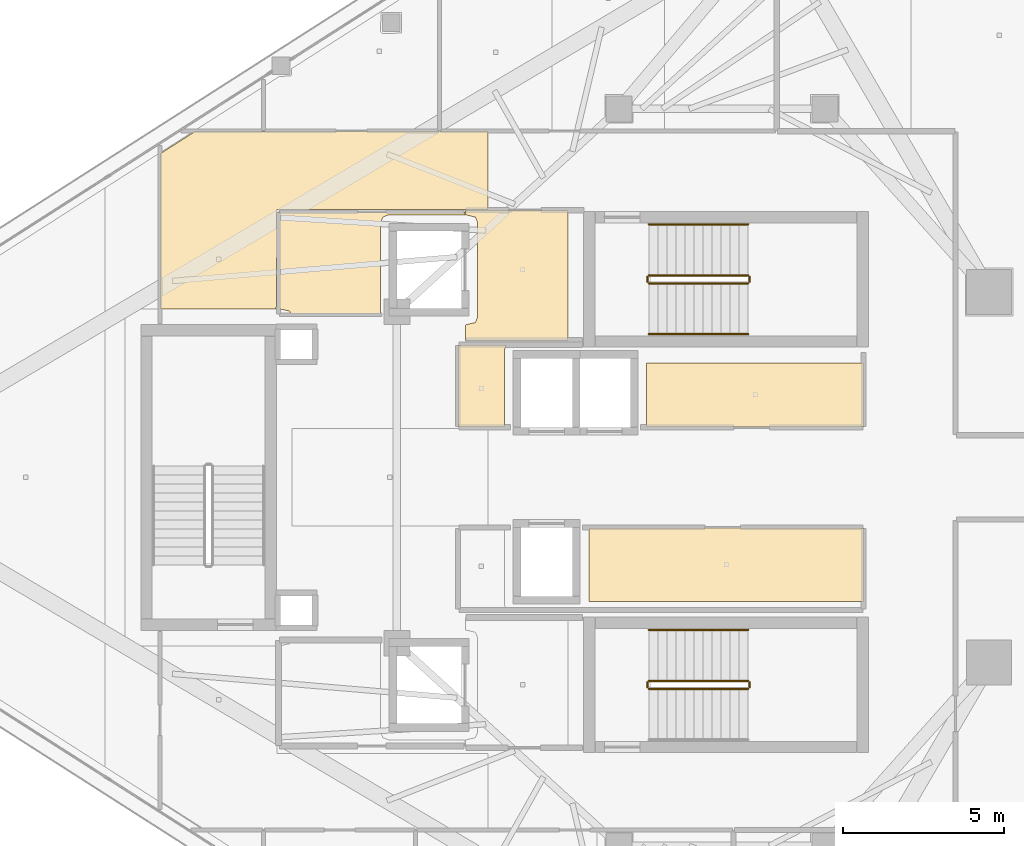
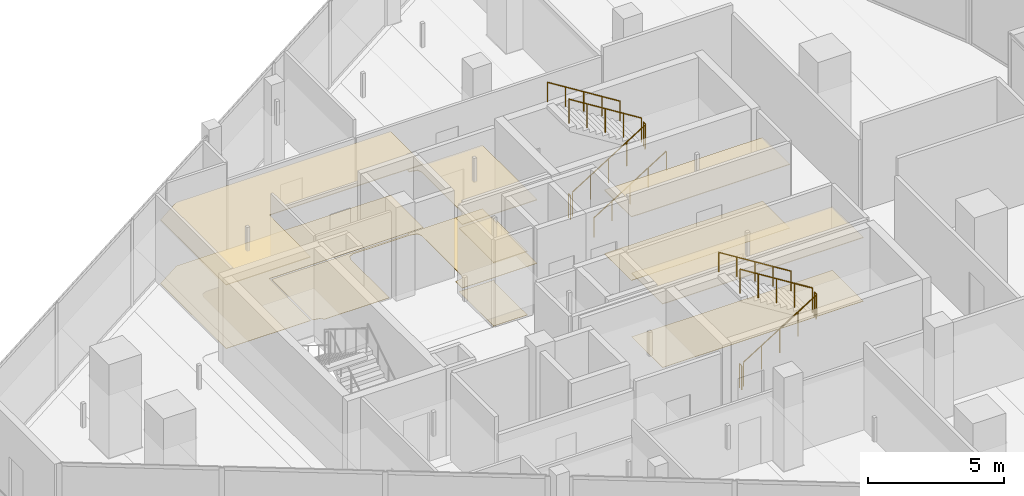
# One storey, part 24 of 25: 11 coverings, 11 railings.
"""IFC4 building model written with IfcOpenShell, lengths in metres."""

from ifc_helpers import new_model, si_unit, direction, frame, origin, origin_2d, place, context, subcontext, project, spatial, polyline, circle, outline, extrude, material, layer, layer_set, type_object, element, save


model = new_model("IFC4")

# Units and contexts
model_context = context("Model", 3, precision=1e-05, world=origin(), true_north=direction((0.0, 1.0)))
body_context = subcontext(model_context, "Body", "Model", "MODEL_VIEW")
ifc_project = project(units=[si_unit("LENGTHUNIT", "METRE"), si_unit("AREAUNIT", "SQUARE_METRE"), si_unit("VOLUMEUNIT", "CUBIC_METRE"), si_unit("PLANEANGLEUNIT", "RADIAN"), si_unit("MASSUNIT", "GRAM", prefix="KILO")], contexts=[model_context])

# Site, building, storey
site_placement = place(None, origin())
site = spatial("IfcSite", under=ifc_project, at=site_placement, CompositionType="ELEMENT")
building_placement = place(site_placement, origin())
building = spatial("IfcBuilding", under=site, at=building_placement, Name="Qorvath Tower", CompositionType="ELEMENT")
storey_placement = place(building_placement, frame((0.0, 0.0, 297.60009765625)))
storey = spatial("IfcBuildingStorey", under=building, at=storey_placement, Name="L69", CompositionType="ELEMENT", Elevation=297.60009765625)

# Coverings
ifc_material_1 = material(Name="Acoustic mineral fibre ceiling tile", Category="gypsum")
ifc_layer_1 = layer(ifc_material_1, 0.030029296875)
ifc_layer_set_1 = layer_set([ifc_layer_1], Name="COV-CEIL")
covering_type_1 = type_object("IfcCoveringType", Name="COV-CEIL", PredefinedType="CEILING", material=ifc_layer_set_1)
covering_1_placement = place(storey_placement, frame((0.0, 0.0, 2.849853515625)))
element("IfcCovering", 1, at=covering_1_placement, inside=storey, type_object=covering_type_1, Name="L69 Suspended Acoustic Ceiling 001", PredefinedType="CEILING", context=body_context, shape_type="SweptSolid", body=[
    extrude(outline(polyline([(-25.18994140625, 4.2548828125), (-25.18994140625, 8.294921875), (-28.375, 8.294921875), (-28.375, 8.159912109375), (-28.063232421875, 8.086669921875), (-27.989990234375, 7.909912109375), (-27.989990234375, 4.989990234375), (-28.063232421875, 4.813232421875), (-28.375, 4.739990234375), (-28.375, 4.2548828125), (-25.18994140625, 4.2548828125)])), origin(), (0.0, 0.0, 1.0), 0.030029296875),
])
covering_2_placement = place(storey_placement, frame((0.0, 0.0, 2.849853515625)))
element("IfcCovering", 2, at=covering_2_placement, inside=storey, type_object=covering_type_1, Name="L69 Suspended Acoustic Ceiling 003", PredefinedType="CEILING", context=body_context, shape_type="SweptSolid", body=[
    extrude(outline(polyline([(-16.0048828125, 3.56005859375), (-22.739990234375, 3.56005859375), (-22.739990234375, 1.56494140625), (-16.0048828125, 1.56494140625), (-16.0048828125, 3.56005859375)])), origin(), (0.0, 0.0, 1.0), 0.030029296875),
])
covering_3_placement = place(storey_placement, frame((0.0, 0.0, 2.849853515625)))
element("IfcCovering", 3, at=covering_3_placement, inside=storey, type_object=covering_type_1, Name="L69 Suspended Acoustic Ceiling 004", PredefinedType="CEILING", context=body_context, shape_type="SweptSolid", body=[
    extrude(outline(polyline([(-27.159912109375, 1.56494140625), (-27.159912109375, 3.9599609375), (-27.095703125, 4.114990234375), (-28.594970703125, 4.114990234375), (-28.594970703125, 1.56494140625), (-27.159912109375, 1.56494140625)])), origin(), (0.0, 0.0, 1.0), 0.030029296875),
])
covering_4_placement = place(storey_placement, frame((0.0, 0.0, 2.849853515625)))
element("IfcCovering", 4, at=covering_4_placement, inside=storey, type_object=covering_type_1, Name="L69 Suspended Acoustic Ceiling 005", PredefinedType="CEILING", context=body_context, shape_type="SweptSolid", body=[
    extrude(outline(polyline([(-24.5400390625, -1.56494140625), (-24.5400390625, -3.85009765625), (-16.0048828125, -3.85009765625), (-16.0048828125, -1.56494140625), (-24.5400390625, -1.56494140625)])), origin(), (0.0, 0.0, 1.0), 0.030029296875),
])
covering_5_placement = place(storey_placement, frame((0.0, 0.0, 2.849853515625)))
element("IfcCovering", 5, at=covering_5_placement, inside=storey, type_object=covering_type_1, Name="L69 Suspended Acoustic Ceiling 010", PredefinedType="CEILING", context=body_context, shape_type="SweptSolid", body=[
    extrude(outline(polyline([(-27.67626953125, 8.324951171875), (-27.67626953125, 10.7451171875), (-36.77880859375, 10.7451171875), (-37.844970703125, 10.0634765625), (-37.844970703125, 5.239990234375), (-34.2509765625, 5.239990234375), (-34.219970703125, 8.324951171875), (-27.67626953125, 8.324951171875)])), origin(), (0.0, 0.0, 1.0), 0.030029296875),
])
ifc_material_2 = material(Name="Low-VOC modular carpet tile", Category="textile")
ifc_layer_2 = layer(ifc_material_2, 0.014892578125)
ifc_layer_set_2 = layer_set([ifc_layer_2], Name="COV-FLOOR-CPT")
covering_type_2 = type_object("IfcCoveringType", Name="COV-FLOOR-CPT", PredefinedType="FLOORING", material=ifc_layer_set_2)
covering_6_placement = place(storey_placement, origin())
element("IfcCovering", 6, at=covering_6_placement, inside=storey, type_object=covering_type_2, Name="L69 Floor Finish 003", PredefinedType="FLOORING", context=body_context, shape_type="SweptSolid", body=[
    extrude(outline(polyline([(-16.0048828125, 3.56005859375), (-22.739990234375, 3.56005859375), (-22.739990234375, 1.56494140625), (-16.0048828125, 1.56494140625), (-16.0048828125, 3.56005859375)])), origin(), (0.0, 0.0, 1.0), 0.014892578125),
])
covering_7_placement = place(storey_placement, origin())
element("IfcCovering", 7, at=covering_7_placement, inside=storey, type_object=covering_type_2, Name="L69 Floor Finish 004", PredefinedType="FLOORING", context=body_context, shape_type="SweptSolid", body=[
    extrude(outline(polyline([(-27.159912109375, 1.56494140625), (-27.159912109375, 3.9599609375), (-27.095703125, 4.114990234375), (-28.594970703125, 4.114990234375), (-28.594970703125, 1.56494140625), (-27.159912109375, 1.56494140625)])), origin(), (0.0, 0.0, 1.0), 0.014892578125),
])
covering_8_placement = place(storey_placement, origin())
element("IfcCovering", 8, at=covering_8_placement, inside=storey, type_object=covering_type_2, Name="L69 Floor Finish 005", PredefinedType="FLOORING", context=body_context, shape_type="SweptSolid", body=[
    extrude(outline(polyline([(-24.5400390625, -1.56494140625), (-24.5400390625, -3.85009765625), (-16.0048828125, -3.85009765625), (-16.0048828125, -1.56494140625), (-24.5400390625, -1.56494140625)])), origin(), (0.0, 0.0, 1.0), 0.014892578125),
])
ifc_material_3 = material(Name="Polished epoxy terrazzo flooring", Category="concrete")
ifc_layer_3 = layer(ifc_material_3, 0.02001953125)
ifc_layer_set_3 = layer_set([ifc_layer_3], Name="COV-FLOOR-TRZ")
covering_type_3 = type_object("IfcCoveringType", Name="COV-FLOOR-TRZ", PredefinedType="FLOORING", material=ifc_layer_set_3)
covering_9_placement = place(storey_placement, origin())
element("IfcCovering", 9, at=covering_9_placement, inside=storey, type_object=covering_type_3, Name="L69 Floor Finish 001", PredefinedType="FLOORING", context=body_context, shape_type="SweptSolid", body=[
    extrude(outline(polyline([(-25.18994140625, 4.2548828125), (-25.18994140625, 8.294921875), (-28.375, 8.294921875), (-28.375, 8.159912109375), (-28.063232421875, 8.086669921875), (-27.989990234375, 7.909912109375), (-27.989990234375, 4.989990234375), (-28.063232421875, 4.813232421875), (-28.375, 4.739990234375), (-28.375, 4.2548828125), (-25.18994140625, 4.2548828125)])), origin(), (0.0, 0.0, 1.0), 0.014892578125),
])
covering_10_placement = place(storey_placement, origin())
element("IfcCovering", 10, at=covering_10_placement, inside=storey, type_object=covering_type_3, Name="L69 Floor Finish 007", PredefinedType="FLOORING", context=body_context, shape_type="SweptSolid", body=[
    extrude(outline(polyline([(-31.010009765625, 5.054931640625), (-31.010009765625, 7.909912109375), (-30.936767578125, 8.086669921875), (-30.760009765625, 8.159912109375), (-28.39306640625, 8.159912109375), (-28.39306640625, 8.2451171875), (-34.175048828125, 8.2451171875), (-34.175048828125, 5.239990234375), (-33.833251953125, 5.166748046875), (-33.786865234375, 5.054931640625), (-31.010009765625, 5.054931640625)])), origin(), (0.0, 0.0, 1.0), 0.014892578125),
])
covering_11_placement = place(storey_placement, origin())
element("IfcCovering", 11, at=covering_11_placement, inside=storey, type_object=covering_type_3, Name="L69 Floor Finish 010", PredefinedType="FLOORING", context=body_context, shape_type="SweptSolid", body=[
    extrude(outline(polyline([(-27.67626953125, 8.324951171875), (-27.67626953125, 10.7451171875), (-36.77880859375, 10.7451171875), (-37.844970703125, 10.0634765625), (-37.844970703125, 5.239990234375), (-34.2509765625, 5.239990234375), (-34.219970703125, 8.324951171875), (-27.67626953125, 8.324951171875)])), origin(), (0.0, 0.0, 1.0), 0.014892578125),
])

# Railings
ifc_material_4 = material(Name="Painted galvanised steel", Category="steel")
railing_type_1 = type_object("IfcRailingType", Name="RL-STR-GRD", PredefinedType="GUARDRAIL", material=ifc_material_4)
railing_1_placement = place(storey_placement, frame((-22.669921875, 6.030029296875, 0.1748046875)))
element("IfcRailing", 12, at=railing_1_placement, inside=storey, type_object=railing_type_1, Name="L69 TS1 stair guard 1", PredefinedType="GUARDRAIL", context=body_context, shape_type="SweptSolid", body=[
    extrude(circle(Radius=0.02392578125, at=origin_2d()), frame((0.0, 0.0, 1.076171875), z_axis=(0.847979421464, 0.0, 0.530029150871), x_axis=(0.0, 1.0, 0.0)), (0.0, 0.0, 1.0), 3.632080078125),
    extrude(circle(Radius=0.02099609375, at=origin_2d()), origin(), (0.0, 0.0, 1.0), 1.052001953125),
    extrude(circle(Radius=0.02099609375, at=origin_2d()), frame((0.77001953125, 0.0, 0.481201171875)), (0.0, 0.0, 1.0), 1.052001953125),
    extrude(circle(Radius=0.02099609375, at=origin_2d()), frame((1.5400390625, 0.0, 0.96240234375)), (0.0, 0.0, 1.0), 1.052001953125),
    extrude(circle(Radius=0.02099609375, at=origin_2d()), frame((2.309814453125, 0.0, 1.44384765625)), (0.0, 0.0, 1.0), 1.052001953125),
    extrude(circle(Radius=0.02099609375, at=origin_2d()), frame((3.079833984375, 0.0, 1.925048828125)), (0.0, 0.0, 1.0), 1.052001953125),
])
railing_2_placement = place(storey_placement, frame((-19.5400390625, 6.080078125, 2.099853515625)))
element("IfcRailing", 13, at=railing_2_placement, inside=storey, type_object=railing_type_1, Name="L69 TS1 stair guard 2", PredefinedType="GUARDRAIL", context=body_context, shape_type="SweptSolid", body=[
    extrude(circle(Radius=0.02392578125, at=origin_2d()), frame((0.0, 0.0, 1.076171875), z_axis=(0.0, 1.0, 0.0), x_axis=(-1.0, 0.0, 0.0)), (0.0, 0.0, 1.0), 0.14990234375),
    extrude(circle(Radius=0.02099609375, at=origin_2d()), origin(), (0.0, 0.0, 1.0), 1.052001953125),
    extrude(circle(Radius=0.02099609375, at=origin_2d()), frame((0.0, 0.14990234375, 0.0)), (0.0, 0.0, 1.0), 1.052001953125),
])
railing_3_placement = place(storey_placement, frame((-19.590087890625, 6.280029296875, 2.27490234375)))
element("IfcRailing", 14, at=railing_3_placement, inside=storey, type_object=railing_type_1, Name="L69 TS1 stair guard 3", PredefinedType="GUARDRAIL", context=body_context, shape_type="SweptSolid", body=[
    extrude(circle(Radius=0.02392578125, at=origin_2d()), frame((0.0, 0.0, 1.076171875), z_axis=(-0.847979421464, 0.0, 0.530029150871), x_axis=(0.0, -1.0, 0.0)), (0.0, 0.0, 1.0), 3.632080078125),
    extrude(circle(Radius=0.02099609375, at=origin_2d()), origin(), (0.0, 0.0, 1.0), 1.052001953125),
    extrude(circle(Radius=0.02099609375, at=origin_2d()), frame((-0.77001953125, 0.0, 0.481201171875)), (0.0, 0.0, 1.0), 1.052001953125),
    extrude(circle(Radius=0.02099609375, at=origin_2d()), frame((-1.5400390625, 0.0, 0.96240234375)), (0.0, 0.0, 1.0), 1.052001953125),
    extrude(circle(Radius=0.02099609375, at=origin_2d()), frame((-2.309814453125, 0.0, 1.44384765625)), (0.0, 0.0, 1.0), 1.052001953125),
    extrude(circle(Radius=0.02099609375, at=origin_2d()), frame((-3.079833984375, 0.0, 1.925048828125)), (0.0, 0.0, 1.0), 1.052001953125),
])
railing_4_placement = place(storey_placement, frame((-22.719970703125, 6.080078125, 0.0)))
element("IfcRailing", 15, at=railing_4_placement, inside=storey, type_object=railing_type_1, Name="L69 TS1 stair guard 4", PredefinedType="GUARDRAIL", context=body_context, shape_type="SweptSolid", body=[
    extrude(circle(Radius=0.02392578125, at=origin_2d()), frame((0.0, 0.0, 1.076171875), z_axis=(0.0, 1.0, 0.0), x_axis=(-1.0, 0.0, 0.0)), (0.0, 0.0, 1.0), 0.14990234375),
    extrude(circle(Radius=0.02099609375, at=origin_2d()), origin(), (0.0, 0.0, 1.0), 1.052001953125),
    extrude(circle(Radius=0.02099609375, at=origin_2d()), frame((0.0, 0.14990234375, 0.0)), (0.0, 0.0, 1.0), 1.052001953125),
])
railing_5_placement = place(storey_placement, frame((-22.669921875, -6.570068359375, 0.1748046875)))
element("IfcRailing", 16, at=railing_5_placement, inside=storey, type_object=railing_type_1, Name="L69 TS2 stair guard 1", PredefinedType="GUARDRAIL", context=body_context, shape_type="SweptSolid", body=[
    extrude(circle(Radius=0.02392578125, at=origin_2d()), frame((0.0, 0.0, 1.076171875), z_axis=(0.847979421464, 0.0, 0.530029150871), x_axis=(0.0, 1.0, 0.0)), (0.0, 0.0, 1.0), 3.632080078125),
    extrude(circle(Radius=0.02099609375, at=origin_2d()), origin(), (0.0, 0.0, 1.0), 1.052001953125),
    extrude(circle(Radius=0.02099609375, at=origin_2d()), frame((0.77001953125, 0.0, 0.481201171875)), (0.0, 0.0, 1.0), 1.052001953125),
    extrude(circle(Radius=0.02099609375, at=origin_2d()), frame((1.5400390625, 0.0, 0.96240234375)), (0.0, 0.0, 1.0), 1.052001953125),
    extrude(circle(Radius=0.02099609375, at=origin_2d()), frame((2.309814453125, 0.0, 1.44384765625)), (0.0, 0.0, 1.0), 1.052001953125),
    extrude(circle(Radius=0.02099609375, at=origin_2d()), frame((3.079833984375, 0.0, 1.925048828125)), (0.0, 0.0, 1.0), 1.052001953125),
])
railing_6_placement = place(storey_placement, frame((-19.5400390625, -6.52001953125, 2.099853515625)))
element("IfcRailing", 17, at=railing_6_placement, inside=storey, type_object=railing_type_1, Name="L69 TS2 stair guard 2", PredefinedType="GUARDRAIL", context=body_context, shape_type="SweptSolid", body=[
    extrude(circle(Radius=0.02392578125, at=origin_2d()), frame((0.0, 0.0, 1.076171875), z_axis=(0.0, 1.0, 0.0), x_axis=(-1.0, 0.0, 0.0)), (0.0, 0.0, 1.0), 0.14990234375),
    extrude(circle(Radius=0.02099609375, at=origin_2d()), origin(), (0.0, 0.0, 1.0), 1.052001953125),
    extrude(circle(Radius=0.02099609375, at=origin_2d()), frame((0.0, 0.14990234375, 0.0)), (0.0, 0.0, 1.0), 1.052001953125),
])
railing_7_placement = place(storey_placement, frame((-19.590087890625, -6.320068359375, 2.27490234375)))
element("IfcRailing", 18, at=railing_7_placement, inside=storey, type_object=railing_type_1, Name="L69 TS2 stair guard 3", PredefinedType="GUARDRAIL", context=body_context, shape_type="SweptSolid", body=[
    extrude(circle(Radius=0.02392578125, at=origin_2d()), frame((0.0, 0.0, 1.076171875), z_axis=(-0.847979421464, 0.0, 0.530029150871), x_axis=(0.0, -1.0, 0.0)), (0.0, 0.0, 1.0), 3.632080078125),
    extrude(circle(Radius=0.02099609375, at=origin_2d()), origin(), (0.0, 0.0, 1.0), 1.052001953125),
    extrude(circle(Radius=0.02099609375, at=origin_2d()), frame((-0.77001953125, 0.0, 0.481201171875)), (0.0, 0.0, 1.0), 1.052001953125),
    extrude(circle(Radius=0.02099609375, at=origin_2d()), frame((-1.5400390625, 0.0, 0.96240234375)), (0.0, 0.0, 1.0), 1.052001953125),
    extrude(circle(Radius=0.02099609375, at=origin_2d()), frame((-2.309814453125, 0.0, 1.44384765625)), (0.0, 0.0, 1.0), 1.052001953125),
    extrude(circle(Radius=0.02099609375, at=origin_2d()), frame((-3.079833984375, 0.0, 1.925048828125)), (0.0, 0.0, 1.0), 1.052001953125),
])
railing_8_placement = place(storey_placement, frame((-22.719970703125, -6.52001953125, 0.0)))
element("IfcRailing", 19, at=railing_8_placement, inside=storey, type_object=railing_type_1, Name="L69 TS2 stair guard 4", PredefinedType="GUARDRAIL", context=body_context, shape_type="SweptSolid", body=[
    extrude(circle(Radius=0.02392578125, at=origin_2d()), frame((0.0, 0.0, 1.076171875), z_axis=(0.0, 1.0, 0.0), x_axis=(-1.0, 0.0, 0.0)), (0.0, 0.0, 1.0), 0.14990234375),
    extrude(circle(Radius=0.02099609375, at=origin_2d()), origin(), (0.0, 0.0, 1.0), 1.052001953125),
    extrude(circle(Radius=0.02099609375, at=origin_2d()), frame((0.0, 0.14990234375, 0.0)), (0.0, 0.0, 1.0), 1.052001953125),
])
ifc_material_5 = material(Name="Brushed stainless steel AISI 304", Category="steel")
railing_type_2 = type_object("IfcRailingType", Name="RL-STR-HND", PredefinedType="HANDRAIL", material=ifc_material_5)
railing_9_placement = place(storey_placement, frame((-22.669921875, 4.449951171875, 0.1748046875)))
element("IfcRailing", 20, at=railing_9_placement, inside=storey, type_object=railing_type_2, Name="L69 TS1 stair handrail 1", PredefinedType="HANDRAIL", context=body_context, shape_type="SweptSolid", body=[
    extrude(circle(Radius=0.02392578125, at=origin_2d()), frame((0.0, 0.0, 0.8759765625), z_axis=(0.847979421464, 0.0, 0.530029150871), x_axis=(0.0, 1.0, 0.0)), (0.0, 0.0, 1.0), 3.632080078125),
    extrude(circle(Radius=0.02099609375, at=origin_2d()), origin(), (0.0, 0.0, 1.0), 0.851806640625),
    extrude(circle(Radius=0.02099609375, at=origin_2d()), frame((0.77001953125, 0.0, 0.481201171875)), (0.0, 0.0, 1.0), 0.851806640625),
    extrude(circle(Radius=0.02099609375, at=origin_2d()), frame((1.5400390625, 0.0, 0.96240234375)), (0.0, 0.0, 1.0), 0.851806640625),
    extrude(circle(Radius=0.02099609375, at=origin_2d()), frame((2.309814453125, 0.0, 1.44384765625)), (0.0, 0.0, 1.0), 0.851806640625),
    extrude(circle(Radius=0.02099609375, at=origin_2d()), frame((3.079833984375, 0.0, 1.925048828125)), (0.0, 0.0, 1.0), 0.851806640625),
])
for number, where, name in (
    (21, (-19.590087890625, 7.860107421875, 2.27490234375), "L69 TS1 stair handrail 2"),
    (22, (-19.590087890625, -4.739990234375, 2.27490234375), "L69 TS2 stair handrail 2"),
):
    element("IfcRailing", number, at=place(storey_placement, frame(where)), inside=storey, type_object=railing_type_2, Name=name, PredefinedType="HANDRAIL", context=body_context, shape_type="SweptSolid", body=[
        extrude(circle(Radius=0.02392578125, at=origin_2d()), frame((0.0, 0.0, 0.8759765625), z_axis=(-0.847979421464, 0.0, 0.530029150871), x_axis=(0.0, -1.0, 0.0)), (0.0, 0.0, 1.0), 3.632080078125),
        extrude(circle(Radius=0.02099609375, at=origin_2d()), origin(), (0.0, 0.0, 1.0), 0.851806640625),
        extrude(circle(Radius=0.02099609375, at=origin_2d()), frame((-0.77001953125, 0.0, 0.481201171875)), (0.0, 0.0, 1.0), 0.851806640625),
        extrude(circle(Radius=0.02099609375, at=origin_2d()), frame((-1.5400390625, 0.0, 0.96240234375)), (0.0, 0.0, 1.0), 0.851806640625),
        extrude(circle(Radius=0.02099609375, at=origin_2d()), frame((-2.309814453125, 0.0, 1.44384765625)), (0.0, 0.0, 1.0), 0.851806640625),
        extrude(circle(Radius=0.02099609375, at=origin_2d()), frame((-3.079833984375, 0.0, 1.925048828125)), (0.0, 0.0, 1.0), 0.851806640625),
    ])

save(model, "model.ifc")
